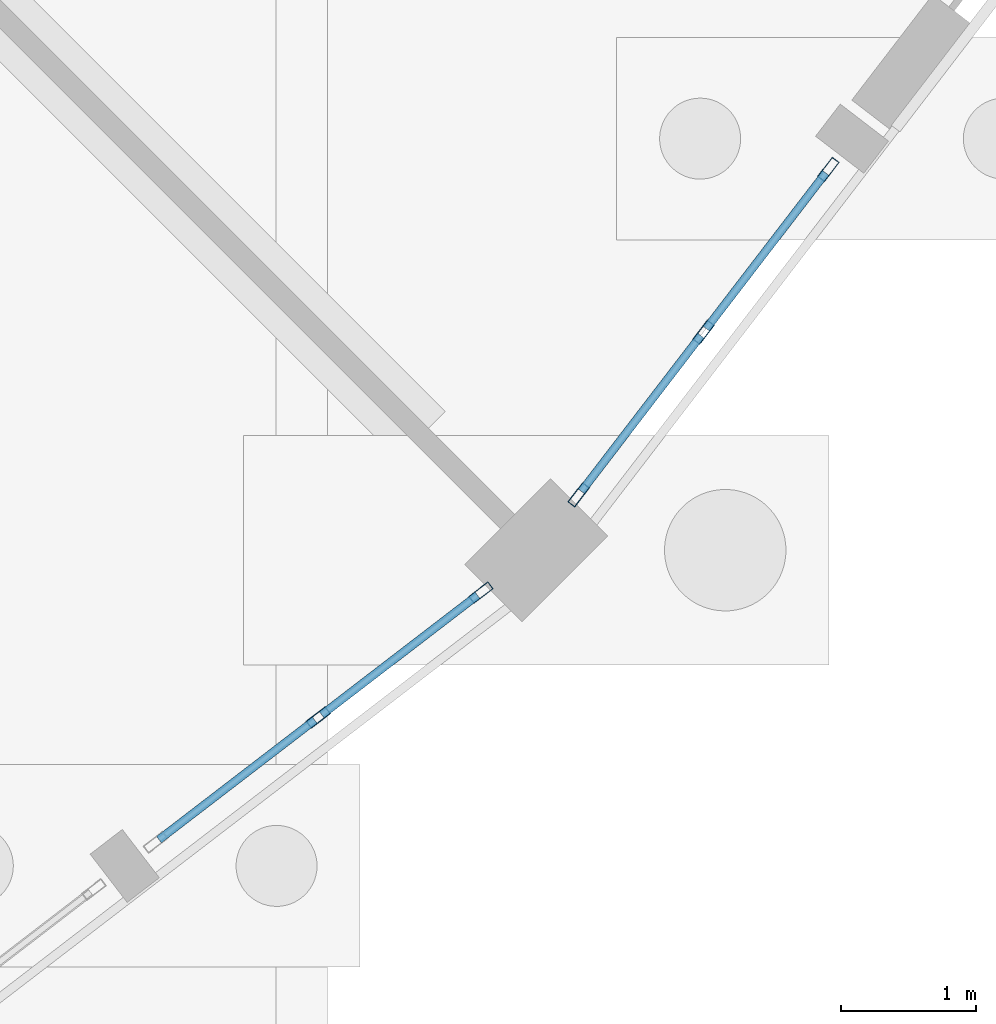
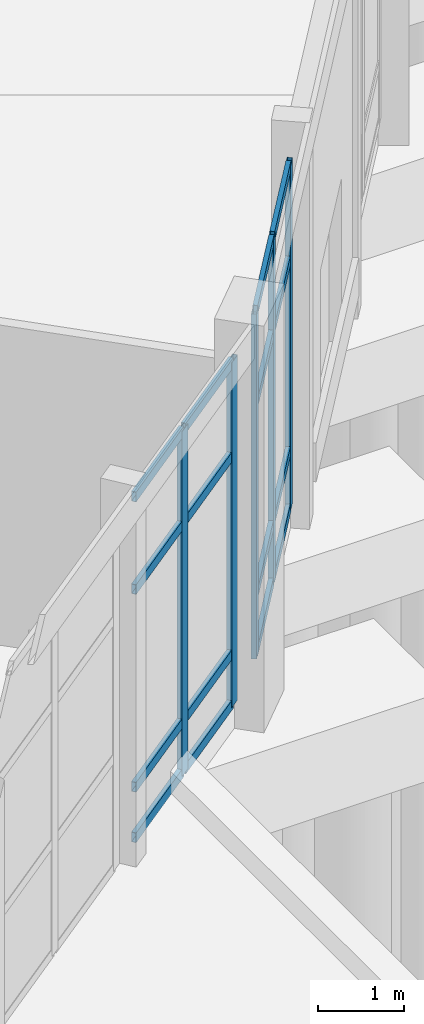
# One storey, part 69 of 137: 21 members, 2 elements without a shape of their own.
"""IFC4 building model written with IfcOpenShell, lengths in metres."""

from ifc_helpers import new_model, si_unit, direction, frame, origin, origin_2d, place, context, subcontext, project, spatial, hollow_rectangle, extrude, material, material_profile, profile_set, type_object, element, aggregate, save


model = new_model("IFC4")

# Units and contexts
model_context = context("Model", 3, precision=1e-05, world=origin(), true_north=direction((0.0, 1.0)))
body_context = subcontext(model_context, "Body", "Model", "MODEL_VIEW")
ifc_project = project(units=[si_unit("LENGTHUNIT", "METRE"), si_unit("AREAUNIT", "SQUARE_METRE"), si_unit("VOLUMEUNIT", "CUBIC_METRE"), si_unit("PLANEANGLEUNIT", "RADIAN"), si_unit("MASSUNIT", "GRAM", prefix="KILO")], contexts=[model_context])

# Site, building, storey
site_placement = place(None, origin())
site = spatial("IfcSite", under=ifc_project, at=site_placement, CompositionType="ELEMENT")
building_placement = place(site_placement, origin())
building = spatial("IfcBuilding", under=site, at=building_placement, Name="Vondelvale Polytechnic", CompositionType="ELEMENT")
storey_placement = place(building_placement, origin())
storey = spatial("IfcBuildingStorey", under=building, at=storey_placement, Name="L00", CompositionType="ELEMENT", Elevation=0.0)

# Curtain wall, members
ifc_material_1 = material(Name="Glulam GL18 structural Tasmanian oak (fb = 42 MPa)", Category="wood")
curtain_wall_type = type_object("IfcCurtainWallType", Name="CW-RING-OUTER", PredefinedType="NOTDEFINED", material=ifc_material_1)
curtain_wall_1_placement = place(storey_placement, origin())
curtain_wall_1 = element("IfcCurtainWall", 1, at=curtain_wall_1_placement, inside=storey, type_object=curtain_wall_type, Name="L00 architectural curtain wall CW-04-343", PredefinedType="NOTDEFINED")
ifc_material_2 = material(Name="Anodised extruded aluminium 6063-T6", Category="aluminium")
ifc_material_profile_1 = material_profile(ifc_material_2, hollow_rectangle(XDim=0.06494140625, YDim=0.179931640625, WallThickness=0.00390625, at=origin_2d()), Name="CW-MUL-180x65")
ifc_profile_set_1 = profile_set([ifc_material_profile_1], Name="Anodised extruded aluminium 6063-T6")
member_type_1 = type_object("IfcMemberType", Name="CW-MUL-65x180", PredefinedType="MULLION", material=ifc_profile_set_1)
member_1_placement = place(storey_placement, frame((132.911865234375, 38.233642578125, 0.0), z_axis=(0.0, 0.0, 1.0), x_axis=(-0.608763610584, 0.793351666305, 0.0)))
member_1 = element("IfcMember", 2, at=member_1_placement, type_object=member_type_1, Name="CW-04-343 mullion 2", PredefinedType="MULLION", context=body_context, shape_type="SweptSolid", body=[
    extrude(hollow_rectangle(XDim=0.06494140625, YDim=0.179931640625, WallThickness=0.00390625, at=origin_2d()), origin(), (0.0, 0.0, 1.0), 4.919921875),
])
member_2_placement = place(storey_placement, frame((134.1171875, 39.15869140625, 0.0), z_axis=(0.0, 0.0, 1.0), x_axis=(-0.608763610584, 0.793351666305, 0.0)))
member_2 = element("IfcMember", 3, at=member_2_placement, type_object=member_type_1, Name="CW-04-343 mullion 3", PredefinedType="MULLION", context=body_context, shape_type="SweptSolid", body=[
    extrude(hollow_rectangle(XDim=0.06494140625, YDim=0.179931640625, WallThickness=0.00390625, at=origin_2d()), origin(), (0.0, 0.0, 1.0), 4.919921875),
])

curtain_wall_2_placement = place(storey_placement, origin())
curtain_wall_2 = element("IfcCurtainWall", 4, at=curtain_wall_2_placement, inside=storey, type_object=curtain_wall_type, Name="L00 architectural curtain wall CW-04-349", PredefinedType="NOTDEFINED")
member_3_placement = place(storey_placement, frame((134.84130859375, 39.8828125, 0.0), z_axis=(0.0, 0.0, 1.0), x_axis=(-0.793351666305, 0.608763610584, 0.0)))
member_3 = element("IfcMember", 5, at=member_3_placement, type_object=member_type_1, Name="CW-04-349 mullion 1", PredefinedType="MULLION", context=body_context, shape_type="SweptSolid", body=[
    extrude(hollow_rectangle(XDim=0.06494140625, YDim=0.179931640625, WallThickness=0.00390625, at=origin_2d()), origin(), (0.0, 0.0, 1.0), 4.919921875),
])
member_4_placement = place(storey_placement, frame((135.766357421875, 41.088134765625, 0.0), z_axis=(0.0, 0.0, 1.0), x_axis=(-0.793351666305, 0.608763610584, 0.0)))
member_4 = element("IfcMember", 6, at=member_4_placement, type_object=member_type_1, Name="CW-04-349 mullion 2", PredefinedType="MULLION", context=body_context, shape_type="SweptSolid", body=[
    extrude(hollow_rectangle(XDim=0.06494140625, YDim=0.179931640625, WallThickness=0.00390625, at=origin_2d()), origin(), (0.0, 0.0, 1.0), 4.919921875),
])
member_5_placement = place(storey_placement, frame((136.691162109375, 42.293701171875, 0.0), z_axis=(0.0, 0.0, 1.0), x_axis=(-0.793351666305, 0.608763610584, 0.0)))
member_5 = element("IfcMember", 7, at=member_5_placement, type_object=member_type_1, Name="CW-04-349 mullion 3", PredefinedType="MULLION", context=body_context, shape_type="SweptSolid", body=[
    extrude(hollow_rectangle(XDim=0.06494140625, YDim=0.179931640625, WallThickness=0.00390625, at=origin_2d()), origin(), (0.0, 0.0, 1.0), 4.919921875),
])

# Member
ifc_material_profile_2 = material_profile(ifc_material_2, hollow_rectangle(XDim=0.06005859375, YDim=0.139892578125, WallThickness=0.00341796875, at=origin_2d()), Name="CW-TRN-140x60")
ifc_profile_set_2 = profile_set([ifc_material_profile_2], Name="Anodised extruded aluminium 6063-T6")
member_type_2 = type_object("IfcMemberType", Name="CW-TRN-60x140", PredefinedType="USERDEFINED", material=ifc_profile_set_2)
member_6_placement = place(storey_placement, frame((131.732177734375, 37.32861328125, 0.030029296875), z_axis=(0.793384744473, 0.608720500097, 0.0), x_axis=(-0.608720500097, 0.793384744473, 0.0)))
member_6 = element("IfcMember", 8, at=member_6_placement, type_object=member_type_2, Name="CW-04-343 transom 1.1", ObjectType="TRANSOM", PredefinedType="USERDEFINED", context=body_context, shape_type="SweptSolid", body=[
    extrude(hollow_rectangle(XDim=0.06005859375, YDim=0.139892578125, WallThickness=0.00341796875, at=origin_2d()), origin(), (0.0, 0.0, 1.0), 1.454345703125),
])

member_7_placement = place(storey_placement, frame((131.732177734375, 37.32861328125, 0.75), z_axis=(0.793384744473, 0.608720500097, 0.0), x_axis=(-0.608720500097, 0.793384744473, 0.0)))
member_7 = element("IfcMember", 9, at=member_7_placement, type_object=member_type_2, Name="CW-04-343 transom 1.2", ObjectType="TRANSOM", PredefinedType="USERDEFINED", context=body_context, shape_type="SweptSolid", body=[
    extrude(hollow_rectangle(XDim=0.06005859375, YDim=0.139892578125, WallThickness=0.00341796875, at=origin_2d()), origin(), (0.0, 0.0, 1.0), 1.454345703125),
])

member_8_placement = place(storey_placement, frame((131.732177734375, 37.32861328125, 3.570068359375), z_axis=(0.793384744473, 0.608720500097, 0.0), x_axis=(-0.608720500097, 0.793384744473, 0.0)))
member_8 = element("IfcMember", 10, at=member_8_placement, type_object=member_type_2, Name="CW-04-343 transom 1.3", ObjectType="TRANSOM", PredefinedType="USERDEFINED", context=body_context, shape_type="SweptSolid", body=[
    extrude(hollow_rectangle(XDim=0.06005859375, YDim=0.139892578125, WallThickness=0.00341796875, at=origin_2d()), origin(), (0.0, 0.0, 1.0), 1.454345703125),
])

member_9_placement = place(storey_placement, frame((131.732177734375, 37.32861328125, 4.889892578125), z_axis=(0.793384744473, 0.608720500097, 0.0), x_axis=(-0.608720500097, 0.793384744473, 0.0)))
member_9 = element("IfcMember", 11, at=member_9_placement, type_object=member_type_2, Name="CW-04-343 transom 1.4", ObjectType="TRANSOM", PredefinedType="USERDEFINED", context=body_context, shape_type="SweptSolid", body=[
    extrude(hollow_rectangle(XDim=0.06005859375, YDim=0.139892578125, WallThickness=0.00341796875, at=origin_2d()), origin(), (0.0, 0.0, 1.0), 1.454345703125),
])

member_10_placement = place(storey_placement, frame((132.9375, 38.25341796875, 0.030029296875), z_axis=(0.793303669799, 0.608826155387, 0.0), x_axis=(-0.608826155387, 0.793303669799, 0.0)))
member_10 = element("IfcMember", 12, at=member_10_placement, type_object=member_type_2, Name="CW-04-343 transom 2.1", ObjectType="TRANSOM", PredefinedType="USERDEFINED", context=body_context, shape_type="SweptSolid", body=[
    extrude(hollow_rectangle(XDim=0.06005859375, YDim=0.139892578125, WallThickness=0.00341796875, at=origin_2d()), origin(), (0.0, 0.0, 1.0), 1.454345703125),
])

member_11_placement = place(storey_placement, frame((132.9375, 38.25341796875, 0.75), z_axis=(0.793303669799, 0.608826155387, 0.0), x_axis=(-0.608826155387, 0.793303669799, 0.0)))
member_11 = element("IfcMember", 13, at=member_11_placement, type_object=member_type_2, Name="CW-04-343 transom 2.2", ObjectType="TRANSOM", PredefinedType="USERDEFINED", context=body_context, shape_type="SweptSolid", body=[
    extrude(hollow_rectangle(XDim=0.06005859375, YDim=0.139892578125, WallThickness=0.00341796875, at=origin_2d()), origin(), (0.0, 0.0, 1.0), 1.454345703125),
])

member_12_placement = place(storey_placement, frame((132.9375, 38.25341796875, 3.570068359375), z_axis=(0.793303669799, 0.608826155387, 0.0), x_axis=(-0.608826155387, 0.793303669799, 0.0)))
member_12 = element("IfcMember", 14, at=member_12_placement, type_object=member_type_2, Name="CW-04-343 transom 2.3", ObjectType="TRANSOM", PredefinedType="USERDEFINED", context=body_context, shape_type="SweptSolid", body=[
    extrude(hollow_rectangle(XDim=0.06005859375, YDim=0.139892578125, WallThickness=0.00341796875, at=origin_2d()), origin(), (0.0, 0.0, 1.0), 1.454345703125),
])

member_13_placement = place(storey_placement, frame((132.9375, 38.25341796875, 4.889892578125), z_axis=(0.793303669799, 0.608826155387, 0.0), x_axis=(-0.608826155387, 0.793303669799, 0.0)))
member_13 = element("IfcMember", 15, at=member_13_placement, type_object=member_type_2, Name="CW-04-343 transom 2.4", ObjectType="TRANSOM", PredefinedType="USERDEFINED", context=body_context, shape_type="SweptSolid", body=[
    extrude(hollow_rectangle(XDim=0.06005859375, YDim=0.139892578125, WallThickness=0.00341796875, at=origin_2d()), origin(), (0.0, 0.0, 1.0), 1.454345703125),
])

aggregate(curtain_wall_1, [member_1, member_2, member_6, member_7, member_8, member_9, member_10, member_11, member_12, member_13])

member_14_placement = place(storey_placement, frame((134.861083984375, 39.90869140625, 0.030029296875), z_axis=(0.608826155387, 0.793303669799, 0.0), x_axis=(-0.793303669799, 0.608826155387, 0.0)))
member_14 = element("IfcMember", 16, at=member_14_placement, type_object=member_type_2, Name="CW-04-349 transom 1.1", ObjectType="TRANSOM", PredefinedType="USERDEFINED", context=body_context, shape_type="SweptSolid", body=[
    extrude(hollow_rectangle(XDim=0.06005859375, YDim=0.139892578125, WallThickness=0.00341796875, at=origin_2d()), origin(), (0.0, 0.0, 1.0), 1.454345703125),
])

member_15_placement = place(storey_placement, frame((134.861083984375, 39.90869140625, 0.85009765625), z_axis=(0.608826155387, 0.793303669799, 0.0), x_axis=(-0.793303669799, 0.608826155387, 0.0)))
member_15 = element("IfcMember", 17, at=member_15_placement, type_object=member_type_2, Name="CW-04-349 transom 1.2", ObjectType="TRANSOM", PredefinedType="USERDEFINED", context=body_context, shape_type="SweptSolid", body=[
    extrude(hollow_rectangle(XDim=0.06005859375, YDim=0.139892578125, WallThickness=0.00341796875, at=origin_2d()), origin(), (0.0, 0.0, 1.0), 1.454345703125),
])

member_16_placement = place(storey_placement, frame((134.861083984375, 39.90869140625, 3.570068359375), z_axis=(0.608826155387, 0.793303669799, 0.0), x_axis=(-0.793303669799, 0.608826155387, 0.0)))
member_16 = element("IfcMember", 18, at=member_16_placement, type_object=member_type_2, Name="CW-04-349 transom 1.3", ObjectType="TRANSOM", PredefinedType="USERDEFINED", context=body_context, shape_type="SweptSolid", body=[
    extrude(hollow_rectangle(XDim=0.06005859375, YDim=0.139892578125, WallThickness=0.00341796875, at=origin_2d()), origin(), (0.0, 0.0, 1.0), 1.454345703125),
])

member_17_placement = place(storey_placement, frame((134.861083984375, 39.90869140625, 4.889892578125), z_axis=(0.608826155387, 0.793303669799, 0.0), x_axis=(-0.793303669799, 0.608826155387, 0.0)))
member_17 = element("IfcMember", 19, at=member_17_placement, type_object=member_type_2, Name="CW-04-349 transom 1.4", ObjectType="TRANSOM", PredefinedType="USERDEFINED", context=body_context, shape_type="SweptSolid", body=[
    extrude(hollow_rectangle(XDim=0.06005859375, YDim=0.139892578125, WallThickness=0.00341796875, at=origin_2d()), origin(), (0.0, 0.0, 1.0), 1.454345703125),
])

member_18_placement = place(storey_placement, frame((135.7861328125, 41.114013671875, 0.030029296875), z_axis=(0.608720500097, 0.793384744473, 0.0), x_axis=(-0.793384744473, 0.608720500097, 0.0)))
member_18 = element("IfcMember", 20, at=member_18_placement, type_object=member_type_2, Name="CW-04-349 transom 2.1", ObjectType="TRANSOM", PredefinedType="USERDEFINED", context=body_context, shape_type="SweptSolid", body=[
    extrude(hollow_rectangle(XDim=0.06005859375, YDim=0.139892578125, WallThickness=0.00341796875, at=origin_2d()), origin(), (0.0, 0.0, 1.0), 1.454345703125),
])

member_19_placement = place(storey_placement, frame((135.7861328125, 41.114013671875, 0.85009765625), z_axis=(0.608720500097, 0.793384744473, 0.0), x_axis=(-0.793384744473, 0.608720500097, 0.0)))
member_19 = element("IfcMember", 21, at=member_19_placement, type_object=member_type_2, Name="CW-04-349 transom 2.2", ObjectType="TRANSOM", PredefinedType="USERDEFINED", context=body_context, shape_type="SweptSolid", body=[
    extrude(hollow_rectangle(XDim=0.06005859375, YDim=0.139892578125, WallThickness=0.00341796875, at=origin_2d()), origin(), (0.0, 0.0, 1.0), 1.454345703125),
])

member_20_placement = place(storey_placement, frame((135.7861328125, 41.114013671875, 3.570068359375), z_axis=(0.608720500097, 0.793384744473, 0.0), x_axis=(-0.793384744473, 0.608720500097, 0.0)))
member_20 = element("IfcMember", 22, at=member_20_placement, type_object=member_type_2, Name="CW-04-349 transom 2.3", ObjectType="TRANSOM", PredefinedType="USERDEFINED", context=body_context, shape_type="SweptSolid", body=[
    extrude(hollow_rectangle(XDim=0.06005859375, YDim=0.139892578125, WallThickness=0.00341796875, at=origin_2d()), origin(), (0.0, 0.0, 1.0), 1.454345703125),
])

member_21_placement = place(storey_placement, frame((135.7861328125, 41.114013671875, 4.889892578125), z_axis=(0.608720500097, 0.793384744473, 0.0), x_axis=(-0.793384744473, 0.608720500097, 0.0)))
member_21 = element("IfcMember", 23, at=member_21_placement, type_object=member_type_2, Name="CW-04-349 transom 2.4", ObjectType="TRANSOM", PredefinedType="USERDEFINED", context=body_context, shape_type="SweptSolid", body=[
    extrude(hollow_rectangle(XDim=0.06005859375, YDim=0.139892578125, WallThickness=0.00341796875, at=origin_2d()), origin(), (0.0, 0.0, 1.0), 1.454345703125),
])

aggregate(curtain_wall_2, [member_3, member_4, member_5, member_14, member_15, member_16, member_17, member_18, member_19, member_20, member_21])

save(model, "model.ifc")
